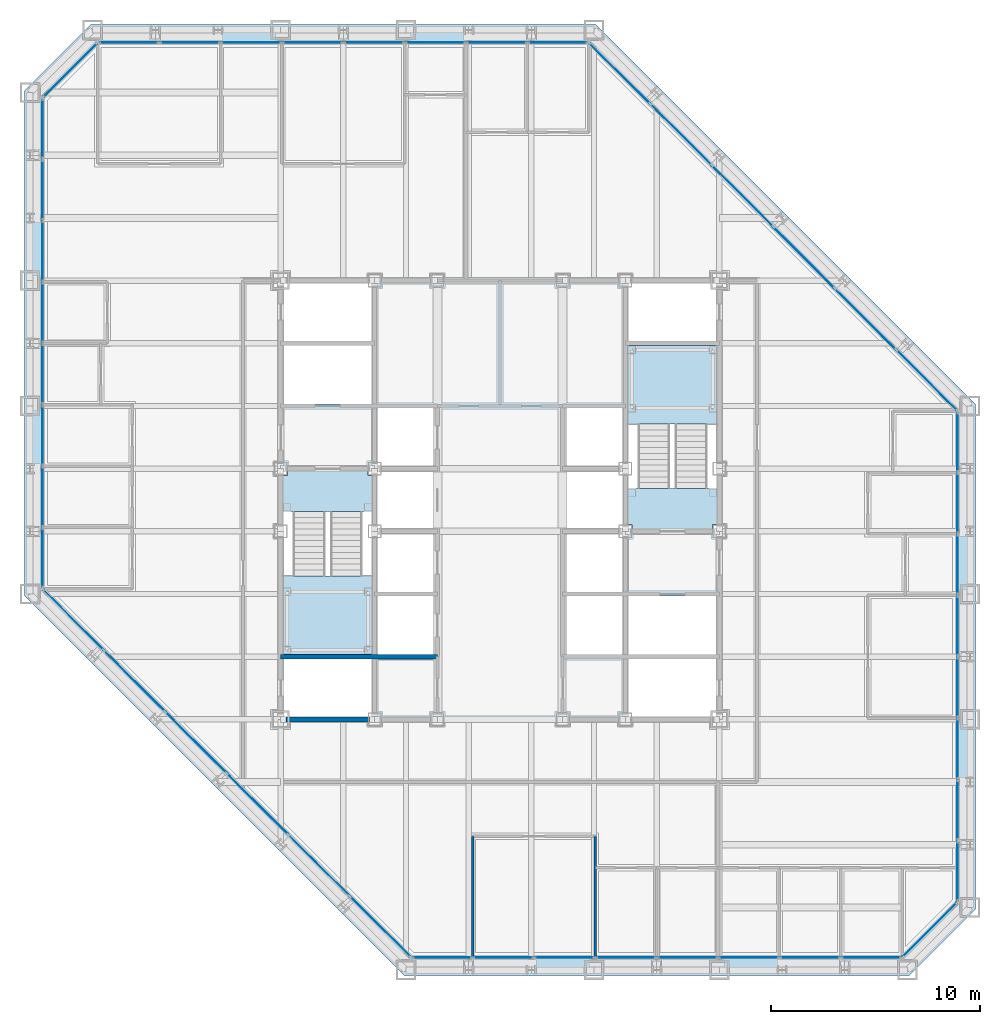
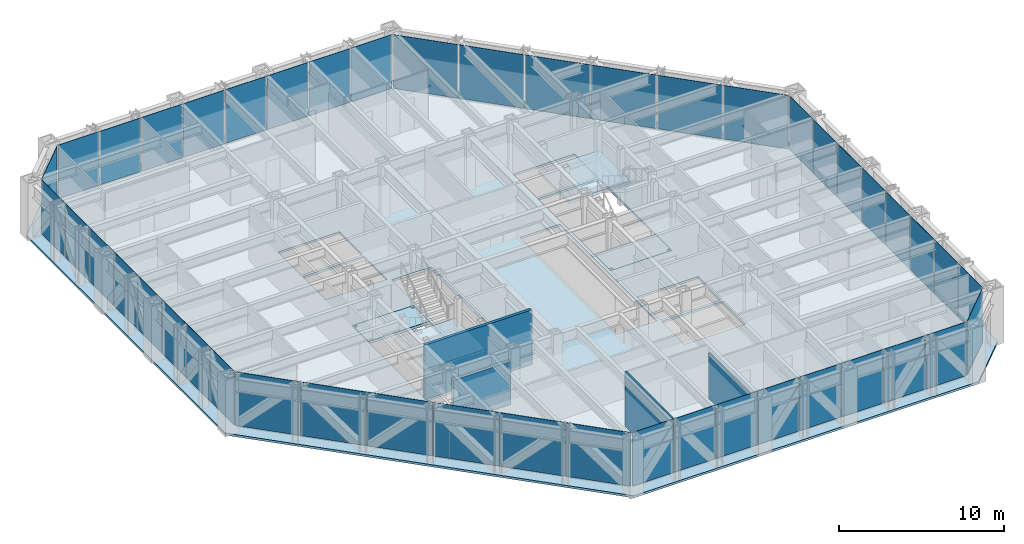
# One storey, part 9 of 16: 46 plates, 5 slabs, 4 walls, 10 elements without a shape of their own.
"""IFC4 building model written with IfcOpenShell, lengths in metres."""

from ifc_helpers import new_model, si_unit, direction, frame, frame_2d, origin, origin_2d, place, context, subcontext, project, spatial, polyline, rectangle, outline, extrude, material, layer, layer_set, type_object, element, aggregate, save


model = new_model("IFC4")

# Units and contexts
model_context = context("Model", 3, precision=1e-05, world=origin(), true_north=direction((0.0, 1.0)))
body_context = subcontext(model_context, "Body", "Model", "MODEL_VIEW")
ifc_project = project(units=[si_unit("LENGTHUNIT", "METRE"), si_unit("AREAUNIT", "SQUARE_METRE"), si_unit("VOLUMEUNIT", "CUBIC_METRE"), si_unit("PLANEANGLEUNIT", "RADIAN"), si_unit("MASSUNIT", "GRAM", prefix="KILO")], contexts=[model_context])

# Site, building, storey
site_placement = place(None, origin())
site = spatial("IfcSite", under=ifc_project, at=site_placement, CompositionType="ELEMENT")
building_placement = place(site_placement, origin())
building = spatial("IfcBuilding", under=site, at=building_placement, Name="Chuquiago Exchange Tower", CompositionType="ELEMENT")
storey_placement = place(building_placement, frame((0.0, 0.0, 157.199951171875)))
storey = spatial("IfcBuildingStorey", under=building, at=storey_placement, Name="L34", CompositionType="ELEMENT", Elevation=157.199951171875)

# Curtain wall, plates
ifc_material_1 = material(Name="Aluminium curtain wall system", Category="aluminium")
ifc_layer_1 = layer(ifc_material_1, 0.22509765625)
ifc_layer_set_1 = layer_set([ifc_layer_1], Name="CW2 office curtain wall")
curtain_wall_type_1 = type_object("IfcCurtainWallType", Name="CW2 office curtain wall", PredefinedType="NOTDEFINED", material=ifc_layer_set_1)
curtain_wall_1_placement = place(storey_placement, origin())
curtain_wall_1 = element("IfcCurtainWall", 1, at=curtain_wall_1_placement, inside=storey, type_object=curtain_wall_type_1, Name="CW2 curtain wall L34", PredefinedType="NOTDEFINED")
ifc_material_2 = material(Name="Glass, insulating unit", Category="glass")
ifc_layer_2 = layer(ifc_material_2, 0.030029296875)
ifc_layer_set_2 = layer_set([ifc_layer_2], Name="CW2-P panel 30")
plate_type_1 = type_object("IfcPlateType", Name="CW2-P panel 30", PredefinedType="CURTAIN_PANEL", material=ifc_layer_set_2)
plate_1_placement = place(storey_placement, frame((25.59326171875, 0.60009765625, 0.06494140625), z_axis=(0.0, 0.0, 1.0), x_axis=(1.0, 0.0, 0.0)))
plate_1 = element("IfcPlate", 2, at=plate_1_placement, type_object=plate_type_1, Name="CW2 panel 3.1", PredefinedType="CURTAIN_PANEL", context=body_context, shape_type="SweptSolid", body=[
    extrude(rectangle(XDim=2.872802734375, YDim=0.030029296875, at=origin_2d()), origin(), (0.0, 0.0, 1.0), 3.97509765625),
])
plate_2_placement = place(storey_placement, frame((34.40673828125, 0.60009765625, 0.06494140625), z_axis=(0.0, 0.0, 1.0), x_axis=(1.0, 0.0, 0.0)))
plate_2 = element("IfcPlate", 3, at=plate_2_placement, type_object=plate_type_1, Name="CW2 panel 6.1", PredefinedType="CURTAIN_PANEL", context=body_context, shape_type="SweptSolid", body=[
    extrude(rectangle(XDim=2.872802734375, YDim=0.030029296875, at=origin_2d()), origin(), (0.0, 0.0, 1.0), 3.97509765625),
])

curtain_wall_2_placement = place(storey_placement, origin())
curtain_wall_2 = element("IfcCurtainWall", 4, at=curtain_wall_2_placement, inside=storey, type_object=curtain_wall_type_1, Name="CW2 curtain wall L34", PredefinedType="NOTDEFINED")
plate_3_placement = place(storey_placement, frame((44.39990234375, 10.59326171875, 0.06494140625), z_axis=(0.0, 0.0, 1.0), x_axis=(0.0, 1.0, 0.0)))
plate_3 = element("IfcPlate", 5, at=plate_3_placement, type_object=plate_type_1, Name="CW2 panel 3.1", PredefinedType="CURTAIN_PANEL", context=body_context, shape_type="SweptSolid", body=[
    extrude(rectangle(XDim=2.872802734375, YDim=0.030029296875, at=origin_2d()), origin(), (0.0, 0.0, 1.0), 3.97509765625),
])
plate_4_placement = place(storey_placement, frame((44.39990234375, 19.40673828125, 0.06494140625), z_axis=(0.0, 0.0, 1.0), x_axis=(0.0, 1.0, 0.0)))
plate_4 = element("IfcPlate", 6, at=plate_4_placement, type_object=plate_type_1, Name="CW2 panel 6.1", PredefinedType="CURTAIN_PANEL", context=body_context, shape_type="SweptSolid", body=[
    extrude(rectangle(XDim=2.872802734375, YDim=0.030029296875, at=origin_2d()), origin(), (0.0, 0.0, 1.0), 3.97509765625),
])

curtain_wall_3_placement = place(storey_placement, origin())
curtain_wall_3 = element("IfcCurtainWall", 7, at=curtain_wall_3_placement, inside=storey, type_object=curtain_wall_type_1, Name="CW2 curtain wall L34", PredefinedType="NOTDEFINED")
plate_5_placement = place(storey_placement, frame((19.40673828125, 44.39990234375, 0.06494140625), z_axis=(0.0, 0.0, 1.0), x_axis=(-1.0, 0.0, 0.0)))
plate_5 = element("IfcPlate", 8, at=plate_5_placement, type_object=plate_type_1, Name="CW2 panel 3.1", PredefinedType="CURTAIN_PANEL", context=body_context, shape_type="SweptSolid", body=[
    extrude(rectangle(XDim=2.872802734375, YDim=0.030029296875, at=origin_2d()), origin(), (0.0, 0.0, 1.0), 3.97509765625),
])
plate_6_placement = place(storey_placement, frame((10.59326171875, 44.39990234375, 0.06494140625), z_axis=(0.0, 0.0, 1.0), x_axis=(-1.0, 0.0, 0.0)))
plate_6 = element("IfcPlate", 9, at=plate_6_placement, type_object=plate_type_1, Name="CW2 panel 6.1", PredefinedType="CURTAIN_PANEL", context=body_context, shape_type="SweptSolid", body=[
    extrude(rectangle(XDim=2.872802734375, YDim=0.030029296875, at=origin_2d()), origin(), (0.0, 0.0, 1.0), 3.97509765625),
])

curtain_wall_4_placement = place(storey_placement, origin())
curtain_wall_4 = element("IfcCurtainWall", 10, at=curtain_wall_4_placement, inside=storey, type_object=curtain_wall_type_1, Name="CW2 curtain wall L34", PredefinedType="NOTDEFINED")
plate_7_placement = place(storey_placement, frame((0.60009765625, 34.40673828125, 0.06494140625), z_axis=(0.0, 0.0, 1.0), x_axis=(0.0, -1.0, 0.0)))
plate_7 = element("IfcPlate", 11, at=plate_7_placement, type_object=plate_type_1, Name="CW2 panel 3.1", PredefinedType="CURTAIN_PANEL", context=body_context, shape_type="SweptSolid", body=[
    extrude(rectangle(XDim=2.872802734375, YDim=0.030029296875, at=origin_2d()), origin(), (0.0, 0.0, 1.0), 3.97509765625),
])
plate_8_placement = place(storey_placement, frame((0.60009765625, 25.59326171875, 0.06494140625), z_axis=(0.0, 0.0, 1.0), x_axis=(0.0, -1.0, 0.0)))
plate_8 = element("IfcPlate", 12, at=plate_8_placement, type_object=plate_type_1, Name="CW2 panel 6.1", PredefinedType="CURTAIN_PANEL", context=body_context, shape_type="SweptSolid", body=[
    extrude(rectangle(XDim=2.872802734375, YDim=0.030029296875, at=origin_2d()), origin(), (0.0, 0.0, 1.0), 3.97509765625),
])

# Plate
ifc_material_3 = material(Name="Insulated spandrel panel, pale anodised aluminium", Category="aluminium")
ifc_layer_3 = layer(ifc_material_3, 0.030029296875)
ifc_layer_set_3 = layer_set([ifc_layer_3], Name="CW2-P spandrel panel 30")
plate_type_2 = type_object("IfcPlateType", Name="CW2-P spandrel panel 30", PredefinedType="CURTAIN_PANEL", material=ifc_layer_set_3)
plate_9_placement = place(storey_placement, frame((19.733642578125, 0.60009765625, 0.06494140625), z_axis=(0.0, 0.0, 1.0), x_axis=(1.0, 0.0, 0.0)))
plate_9 = element("IfcPlate", 13, at=plate_9_placement, type_object=plate_type_2, Name="CW2 panel 1.1", PredefinedType="CURTAIN_PANEL", context=body_context, shape_type="SweptSolid", body=[
    extrude(rectangle(XDim=2.84033203125, YDim=0.030029296875, at=origin_2d()), origin(), (0.0, 0.0, 1.0), 3.97509765625),
])

plate_10_placement = place(storey_placement, frame((22.6552734375, 0.60009765625, 0.06494140625), z_axis=(0.0, 0.0, 1.0), x_axis=(1.0, 0.0, 0.0)))
plate_10 = element("IfcPlate", 14, at=plate_10_placement, type_object=plate_type_2, Name="CW2 panel 2.1", PredefinedType="CURTAIN_PANEL", context=body_context, shape_type="SweptSolid", body=[
    extrude(rectangle(XDim=2.872802734375, YDim=0.030029296875, at=origin_2d()), origin(), (0.0, 0.0, 1.0), 3.97509765625),
])

plate_11_placement = place(storey_placement, frame((28.531005859375, 0.60009765625, 0.06494140625), z_axis=(0.0, 0.0, 1.0), x_axis=(1.0, 0.0, 0.0)))
plate_11 = element("IfcPlate", 15, at=plate_11_placement, type_object=plate_type_2, Name="CW2 panel 4.1", PredefinedType="CURTAIN_PANEL", context=body_context, shape_type="SweptSolid", body=[
    extrude(rectangle(XDim=2.872802734375, YDim=0.030029296875, at=origin_2d()), origin(), (0.0, 0.0, 1.0), 3.97509765625),
])

plate_12_placement = place(storey_placement, frame((31.468994140625, 0.60009765625, 0.06494140625), z_axis=(0.0, 0.0, 1.0), x_axis=(1.0, 0.0, 0.0)))
plate_12 = element("IfcPlate", 16, at=plate_12_placement, type_object=plate_type_2, Name="CW2 panel 5.1", PredefinedType="CURTAIN_PANEL", context=body_context, shape_type="SweptSolid", body=[
    extrude(rectangle(XDim=2.872802734375, YDim=0.030029296875, at=origin_2d()), origin(), (0.0, 0.0, 1.0), 3.97509765625),
])

plate_13_placement = place(storey_placement, frame((37.3447265625, 0.60009765625, 0.06494140625), z_axis=(0.0, 0.0, 1.0), x_axis=(1.0, 0.0, 0.0)))
plate_13 = element("IfcPlate", 17, at=plate_13_placement, type_object=plate_type_2, Name="CW2 panel 7.1", PredefinedType="CURTAIN_PANEL", context=body_context, shape_type="SweptSolid", body=[
    extrude(rectangle(XDim=2.872802734375, YDim=0.030029296875, at=origin_2d()), origin(), (0.0, 0.0, 1.0), 3.97509765625),
])

plate_14_placement = place(storey_placement, frame((40.266357421875, 0.60009765625, 0.06494140625), z_axis=(0.0, 0.0, 1.0), x_axis=(1.0, 0.0, 0.0)))
plate_14 = element("IfcPlate", 18, at=plate_14_placement, type_object=plate_type_2, Name="CW2 panel 8.1", PredefinedType="CURTAIN_PANEL", context=body_context, shape_type="SweptSolid", body=[
    extrude(rectangle(XDim=2.84033203125, YDim=0.030029296875, at=origin_2d()), origin(), (0.0, 0.0, 1.0), 3.97509765625),
])

aggregate(curtain_wall_1, [plate_9, plate_10, plate_1, plate_11, plate_12, plate_2, plate_13, plate_14])

plate_15_placement = place(storey_placement, frame((44.39990234375, 4.733642578125, 0.06494140625), z_axis=(0.0, 0.0, 1.0), x_axis=(0.0, 1.0, 0.0)))
plate_15 = element("IfcPlate", 19, at=plate_15_placement, type_object=plate_type_2, Name="CW2 panel 1.1", PredefinedType="CURTAIN_PANEL", context=body_context, shape_type="SweptSolid", body=[
    extrude(rectangle(XDim=2.84033203125, YDim=0.030029296875, at=origin_2d()), origin(), (0.0, 0.0, 1.0), 3.97509765625),
])

plate_16_placement = place(storey_placement, frame((44.39990234375, 7.6552734375, 0.06494140625), z_axis=(0.0, 0.0, 1.0), x_axis=(0.0, 1.0, 0.0)))
plate_16 = element("IfcPlate", 20, at=plate_16_placement, type_object=plate_type_2, Name="CW2 panel 2.1", PredefinedType="CURTAIN_PANEL", context=body_context, shape_type="SweptSolid", body=[
    extrude(rectangle(XDim=2.872802734375, YDim=0.030029296875, at=origin_2d()), origin(), (0.0, 0.0, 1.0), 3.97509765625),
])

plate_17_placement = place(storey_placement, frame((44.39990234375, 13.531005859375, 0.06494140625), z_axis=(0.0, 0.0, 1.0), x_axis=(0.0, 1.0, 0.0)))
plate_17 = element("IfcPlate", 21, at=plate_17_placement, type_object=plate_type_2, Name="CW2 panel 4.1", PredefinedType="CURTAIN_PANEL", context=body_context, shape_type="SweptSolid", body=[
    extrude(rectangle(XDim=2.872802734375, YDim=0.030029296875, at=origin_2d()), origin(), (0.0, 0.0, 1.0), 3.97509765625),
])

plate_18_placement = place(storey_placement, frame((44.39990234375, 16.468994140625, 0.06494140625), z_axis=(0.0, 0.0, 1.0), x_axis=(0.0, 1.0, 0.0)))
plate_18 = element("IfcPlate", 22, at=plate_18_placement, type_object=plate_type_2, Name="CW2 panel 5.1", PredefinedType="CURTAIN_PANEL", context=body_context, shape_type="SweptSolid", body=[
    extrude(rectangle(XDim=2.872802734375, YDim=0.030029296875, at=origin_2d()), origin(), (0.0, 0.0, 1.0), 3.97509765625),
])

plate_19_placement = place(storey_placement, frame((44.39990234375, 22.3447265625, 0.06494140625), z_axis=(0.0, 0.0, 1.0), x_axis=(0.0, 1.0, 0.0)))
plate_19 = element("IfcPlate", 23, at=plate_19_placement, type_object=plate_type_2, Name="CW2 panel 7.1", PredefinedType="CURTAIN_PANEL", context=body_context, shape_type="SweptSolid", body=[
    extrude(rectangle(XDim=2.872802734375, YDim=0.030029296875, at=origin_2d()), origin(), (0.0, 0.0, 1.0), 3.97509765625),
])

plate_20_placement = place(storey_placement, frame((44.39990234375, 25.266357421875, 0.06494140625), z_axis=(0.0, 0.0, 1.0), x_axis=(0.0, 1.0, 0.0)))
plate_20 = element("IfcPlate", 24, at=plate_20_placement, type_object=plate_type_2, Name="CW2 panel 8.1", PredefinedType="CURTAIN_PANEL", context=body_context, shape_type="SweptSolid", body=[
    extrude(rectangle(XDim=2.84033203125, YDim=0.030029296875, at=origin_2d()), origin(), (0.0, 0.0, 1.0), 3.97509765625),
])

aggregate(curtain_wall_2, [plate_15, plate_16, plate_3, plate_17, plate_18, plate_4, plate_19, plate_20])

plate_21_placement = place(storey_placement, frame((25.266357421875, 44.39990234375, 0.06494140625), z_axis=(0.0, 0.0, 1.0), x_axis=(-1.0, 0.0, 0.0)))
plate_21 = element("IfcPlate", 25, at=plate_21_placement, type_object=plate_type_2, Name="CW2 panel 1.1", PredefinedType="CURTAIN_PANEL", context=body_context, shape_type="SweptSolid", body=[
    extrude(rectangle(XDim=2.84033203125, YDim=0.030029296875, at=origin_2d()), origin(), (0.0, 0.0, 1.0), 3.97509765625),
])

plate_22_placement = place(storey_placement, frame((22.3447265625, 44.39990234375, 0.06494140625), z_axis=(0.0, 0.0, 1.0), x_axis=(-1.0, 0.0, 0.0)))
plate_22 = element("IfcPlate", 26, at=plate_22_placement, type_object=plate_type_2, Name="CW2 panel 2.1", PredefinedType="CURTAIN_PANEL", context=body_context, shape_type="SweptSolid", body=[
    extrude(rectangle(XDim=2.872802734375, YDim=0.030029296875, at=origin_2d()), origin(), (0.0, 0.0, 1.0), 3.97509765625),
])

plate_23_placement = place(storey_placement, frame((16.468994140625, 44.39990234375, 0.06494140625), z_axis=(0.0, 0.0, 1.0), x_axis=(-1.0, 0.0, 0.0)))
plate_23 = element("IfcPlate", 27, at=plate_23_placement, type_object=plate_type_2, Name="CW2 panel 4.1", PredefinedType="CURTAIN_PANEL", context=body_context, shape_type="SweptSolid", body=[
    extrude(rectangle(XDim=2.872802734375, YDim=0.030029296875, at=origin_2d()), origin(), (0.0, 0.0, 1.0), 3.97509765625),
])

plate_24_placement = place(storey_placement, frame((13.531005859375, 44.39990234375, 0.06494140625), z_axis=(0.0, 0.0, 1.0), x_axis=(-1.0, 0.0, 0.0)))
plate_24 = element("IfcPlate", 28, at=plate_24_placement, type_object=plate_type_2, Name="CW2 panel 5.1", PredefinedType="CURTAIN_PANEL", context=body_context, shape_type="SweptSolid", body=[
    extrude(rectangle(XDim=2.872802734375, YDim=0.030029296875, at=origin_2d()), origin(), (0.0, 0.0, 1.0), 3.97509765625),
])

plate_25_placement = place(storey_placement, frame((7.6552734375, 44.39990234375, 0.06494140625), z_axis=(0.0, 0.0, 1.0), x_axis=(-1.0, 0.0, 0.0)))
plate_25 = element("IfcPlate", 29, at=plate_25_placement, type_object=plate_type_2, Name="CW2 panel 7.1", PredefinedType="CURTAIN_PANEL", context=body_context, shape_type="SweptSolid", body=[
    extrude(rectangle(XDim=2.872802734375, YDim=0.030029296875, at=origin_2d()), origin(), (0.0, 0.0, 1.0), 3.97509765625),
])

plate_26_placement = place(storey_placement, frame((4.733642578125, 44.39990234375, 0.06494140625), z_axis=(0.0, 0.0, 1.0), x_axis=(-1.0, 0.0, 0.0)))
plate_26 = element("IfcPlate", 30, at=plate_26_placement, type_object=plate_type_2, Name="CW2 panel 8.1", PredefinedType="CURTAIN_PANEL", context=body_context, shape_type="SweptSolid", body=[
    extrude(rectangle(XDim=2.84033203125, YDim=0.030029296875, at=origin_2d()), origin(), (0.0, 0.0, 1.0), 3.97509765625),
])

aggregate(curtain_wall_3, [plate_21, plate_22, plate_5, plate_23, plate_24, plate_6, plate_25, plate_26])

plate_27_placement = place(storey_placement, frame((0.60009765625, 40.266357421875, 0.06494140625), z_axis=(0.0, 0.0, 1.0), x_axis=(0.0, -1.0, 0.0)))
plate_27 = element("IfcPlate", 31, at=plate_27_placement, type_object=plate_type_2, Name="CW2 panel 1.1", PredefinedType="CURTAIN_PANEL", context=body_context, shape_type="SweptSolid", body=[
    extrude(rectangle(XDim=2.84033203125, YDim=0.030029296875, at=origin_2d()), origin(), (0.0, 0.0, 1.0), 3.97509765625),
])

plate_28_placement = place(storey_placement, frame((0.60009765625, 37.3447265625, 0.06494140625), z_axis=(0.0, 0.0, 1.0), x_axis=(0.0, -1.0, 0.0)))
plate_28 = element("IfcPlate", 32, at=plate_28_placement, type_object=plate_type_2, Name="CW2 panel 2.1", PredefinedType="CURTAIN_PANEL", context=body_context, shape_type="SweptSolid", body=[
    extrude(rectangle(XDim=2.872802734375, YDim=0.030029296875, at=origin_2d()), origin(), (0.0, 0.0, 1.0), 3.97509765625),
])

plate_29_placement = place(storey_placement, frame((0.60009765625, 31.468994140625, 0.06494140625), z_axis=(0.0, 0.0, 1.0), x_axis=(0.0, -1.0, 0.0)))
plate_29 = element("IfcPlate", 33, at=plate_29_placement, type_object=plate_type_2, Name="CW2 panel 4.1", PredefinedType="CURTAIN_PANEL", context=body_context, shape_type="SweptSolid", body=[
    extrude(rectangle(XDim=2.872802734375, YDim=0.030029296875, at=origin_2d()), origin(), (0.0, 0.0, 1.0), 3.97509765625),
])

plate_30_placement = place(storey_placement, frame((0.60009765625, 28.531005859375, 0.06494140625), z_axis=(0.0, 0.0, 1.0), x_axis=(0.0, -1.0, 0.0)))
plate_30 = element("IfcPlate", 34, at=plate_30_placement, type_object=plate_type_2, Name="CW2 panel 5.1", PredefinedType="CURTAIN_PANEL", context=body_context, shape_type="SweptSolid", body=[
    extrude(rectangle(XDim=2.872802734375, YDim=0.030029296875, at=origin_2d()), origin(), (0.0, 0.0, 1.0), 3.97509765625),
])

plate_31_placement = place(storey_placement, frame((0.60009765625, 22.6552734375, 0.06494140625), z_axis=(0.0, 0.0, 1.0), x_axis=(0.0, -1.0, 0.0)))
plate_31 = element("IfcPlate", 35, at=plate_31_placement, type_object=plate_type_2, Name="CW2 panel 7.1", PredefinedType="CURTAIN_PANEL", context=body_context, shape_type="SweptSolid", body=[
    extrude(rectangle(XDim=2.872802734375, YDim=0.030029296875, at=origin_2d()), origin(), (0.0, 0.0, 1.0), 3.97509765625),
])

plate_32_placement = place(storey_placement, frame((0.60009765625, 19.733642578125, 0.06494140625), z_axis=(0.0, 0.0, 1.0), x_axis=(0.0, -1.0, 0.0)))
plate_32 = element("IfcPlate", 36, at=plate_32_placement, type_object=plate_type_2, Name="CW2 panel 8.1", PredefinedType="CURTAIN_PANEL", context=body_context, shape_type="SweptSolid", body=[
    extrude(rectangle(XDim=2.84033203125, YDim=0.030029296875, at=origin_2d()), origin(), (0.0, 0.0, 1.0), 3.97509765625),
])

aggregate(curtain_wall_4, [plate_27, plate_28, plate_7, plate_29, plate_30, plate_8, plate_31, plate_32])

# Curtain wall, plate
ifc_material_4 = material(Name="Aluminium curtain wall system", Category="aluminium")
ifc_layer_4 = layer(ifc_material_4, 0.199951171875)
ifc_layer_set_4 = layer_set([ifc_layer_4], Name="CW3 facet curtain wall")
curtain_wall_type_2 = type_object("IfcCurtainWallType", Name="CW3 facet curtain wall", PredefinedType="NOTDEFINED", material=ifc_layer_set_4)
curtain_wall_5_placement = place(storey_placement, origin())
curtain_wall_5 = element("IfcCurtainWall", 37, at=curtain_wall_5_placement, inside=storey, type_object=curtain_wall_type_2, Name="CW3 curtain wall L34", PredefinedType="NOTDEFINED")
ifc_material_5 = material(Name="Insulated spandrel panel, pale anodised aluminium", Category="aluminium")
ifc_layer_5 = layer(ifc_material_5, 0.030029296875)
ifc_layer_set_5 = layer_set([ifc_layer_5], Name="CW3-P spandrel panel 30")
plate_type_3 = type_object("IfcPlateType", Name="CW3-P spandrel panel 30", PredefinedType="CURTAIN_PANEL", material=ifc_layer_set_5)
plate_33_placement = place(storey_placement, frame((43.07568359375, 1.92431640625, 0.06494140625), z_axis=(0.0, 0.0, 1.0), x_axis=(0.707106781187, 0.707106781187, 0.0)))
plate_33 = element("IfcPlate", 38, at=plate_33_placement, type_object=plate_type_3, Name="CW3 panel 1.1", PredefinedType="CURTAIN_PANEL", context=body_context, shape_type="SweptSolid", body=[
    extrude(rectangle(XDim=3.615478515625, YDim=0.030029296875, at=origin_2d()), origin(), (0.0, 0.0, 1.0), 3.97509765625),
])
aggregate(curtain_wall_5, [plate_33])

# Curtain wall, plates
curtain_wall_6_placement = place(storey_placement, origin())
curtain_wall_6 = element("IfcCurtainWall", 39, at=curtain_wall_6_placement, inside=storey, type_object=curtain_wall_type_2, Name="CW3 curtain wall L34", PredefinedType="NOTDEFINED")
plate_34_placement = place(storey_placement, frame((42.917724609375, 28.233642578125, 0.06494140625), z_axis=(0.0, 0.0, 1.0), x_axis=(-0.707106781187, 0.707106781187, 0.0)))
plate_34 = element("IfcPlate", 40, at=plate_34_placement, type_object=plate_type_3, Name="CW3 panel 1.1", PredefinedType="CURTAIN_PANEL", context=body_context, shape_type="SweptSolid", body=[
    extrude(rectangle(XDim=4.062255859375, YDim=0.030029296875, at=origin_2d()), origin(), (0.0, 0.0, 1.0), 3.97509765625),
])
plate_35_placement = place(storey_placement, frame((39.98779296875, 31.16357421875, 0.06494140625), z_axis=(0.0, 0.0, 1.0), x_axis=(-0.707106781187, 0.707106781187, 0.0)))
plate_35 = element("IfcPlate", 41, at=plate_35_placement, type_object=plate_type_3, Name="CW3 panel 2.1", PredefinedType="CURTAIN_PANEL", context=body_context, shape_type="SweptSolid", body=[
    extrude(rectangle(XDim=4.0947265625, YDim=0.030029296875, at=origin_2d()), origin(), (0.0, 0.0, 1.0), 3.97509765625),
])
plate_36_placement = place(storey_placement, frame((37.04638671875, 34.10498046875, 0.06494140625), z_axis=(0.0, 0.0, 1.0), x_axis=(-0.707106781187, 0.707106781187, 0.0)))
plate_36 = element("IfcPlate", 42, at=plate_36_placement, type_object=plate_type_3, Name="CW3 panel 3.1", PredefinedType="CURTAIN_PANEL", context=body_context, shape_type="SweptSolid", body=[
    extrude(rectangle(XDim=4.0947265625, YDim=0.030029296875, at=origin_2d()), origin(), (0.0, 0.0, 1.0), 3.97509765625),
])
plate_37_placement = place(storey_placement, frame((34.10498046875, 37.04638671875, 0.06494140625), z_axis=(0.0, 0.0, 1.0), x_axis=(-0.707106781187, 0.707106781187, 0.0)))
plate_37 = element("IfcPlate", 43, at=plate_37_placement, type_object=plate_type_3, Name="CW3 panel 4.1", PredefinedType="CURTAIN_PANEL", context=body_context, shape_type="SweptSolid", body=[
    extrude(rectangle(XDim=4.0947265625, YDim=0.030029296875, at=origin_2d()), origin(), (0.0, 0.0, 1.0), 3.97509765625),
])
plate_38_placement = place(storey_placement, frame((31.16357421875, 39.98779296875, 0.06494140625), z_axis=(0.0, 0.0, 1.0), x_axis=(-0.707106781187, 0.707106781187, 0.0)))
plate_38 = element("IfcPlate", 44, at=plate_38_placement, type_object=plate_type_3, Name="CW3 panel 5.1", PredefinedType="CURTAIN_PANEL", context=body_context, shape_type="SweptSolid", body=[
    extrude(rectangle(XDim=4.0947265625, YDim=0.030029296875, at=origin_2d()), origin(), (0.0, 0.0, 1.0), 3.97509765625),
])
plate_39_placement = place(storey_placement, frame((28.233642578125, 42.917724609375, 0.06494140625), z_axis=(0.0, 0.0, 1.0), x_axis=(-0.707106781187, 0.707106781187, 0.0)))
plate_39 = element("IfcPlate", 45, at=plate_39_placement, type_object=plate_type_3, Name="CW3 panel 6.1", PredefinedType="CURTAIN_PANEL", context=body_context, shape_type="SweptSolid", body=[
    extrude(rectangle(XDim=4.062255859375, YDim=0.030029296875, at=origin_2d()), origin(), (0.0, 0.0, 1.0), 3.97509765625),
])
aggregate(curtain_wall_6, [plate_34, plate_35, plate_36, plate_37, plate_38, plate_39])

# Curtain wall, plate
curtain_wall_7_placement = place(storey_placement, origin())
curtain_wall_7 = element("IfcCurtainWall", 46, at=curtain_wall_7_placement, inside=storey, type_object=curtain_wall_type_2, Name="CW3 curtain wall L34", PredefinedType="NOTDEFINED")
plate_40_placement = place(storey_placement, frame((1.92431640625, 43.07568359375, 0.06494140625), z_axis=(0.0, 0.0, 1.0), x_axis=(-0.707106781187, -0.707106781187, 0.0)))
plate_40 = element("IfcPlate", 47, at=plate_40_placement, type_object=plate_type_3, Name="CW3 panel 1.1", PredefinedType="CURTAIN_PANEL", context=body_context, shape_type="SweptSolid", body=[
    extrude(rectangle(XDim=3.615478515625, YDim=0.030029296875, at=origin_2d()), origin(), (0.0, 0.0, 1.0), 3.97509765625),
])
aggregate(curtain_wall_7, [plate_40])

# Curtain wall, plates
curtain_wall_8_placement = place(storey_placement, origin())
curtain_wall_8 = element("IfcCurtainWall", 48, at=curtain_wall_8_placement, inside=storey, type_object=curtain_wall_type_2, Name="CW3 curtain wall L34", PredefinedType="NOTDEFINED")
plate_41_placement = place(storey_placement, frame((2.082275390625, 16.766357421875, 0.06494140625), z_axis=(0.0, 0.0, 1.0), x_axis=(0.707106781187, -0.707106781187, 0.0)))
plate_41 = element("IfcPlate", 49, at=plate_41_placement, type_object=plate_type_3, Name="CW3 panel 1.1", PredefinedType="CURTAIN_PANEL", context=body_context, shape_type="SweptSolid", body=[
    extrude(rectangle(XDim=4.062255859375, YDim=0.030029296875, at=origin_2d()), origin(), (0.0, 0.0, 1.0), 3.97509765625),
])
plate_42_placement = place(storey_placement, frame((5.01220703125, 13.83642578125, 0.06494140625), z_axis=(0.0, 0.0, 1.0), x_axis=(0.707106781187, -0.707106781187, 0.0)))
plate_42 = element("IfcPlate", 50, at=plate_42_placement, type_object=plate_type_3, Name="CW3 panel 2.1", PredefinedType="CURTAIN_PANEL", context=body_context, shape_type="SweptSolid", body=[
    extrude(rectangle(XDim=4.0947265625, YDim=0.030029296875, at=origin_2d()), origin(), (0.0, 0.0, 1.0), 3.97509765625),
])
plate_43_placement = place(storey_placement, frame((7.95361328125, 10.89501953125, 0.06494140625), z_axis=(0.0, 0.0, 1.0), x_axis=(0.707106781187, -0.707106781187, 0.0)))
plate_43 = element("IfcPlate", 51, at=plate_43_placement, type_object=plate_type_3, Name="CW3 panel 3.1", PredefinedType="CURTAIN_PANEL", context=body_context, shape_type="SweptSolid", body=[
    extrude(rectangle(XDim=4.0947265625, YDim=0.030029296875, at=origin_2d()), origin(), (0.0, 0.0, 1.0), 3.97509765625),
])
plate_44_placement = place(storey_placement, frame((10.89501953125, 7.95361328125, 0.06494140625), z_axis=(0.0, 0.0, 1.0), x_axis=(0.707106781187, -0.707106781187, 0.0)))
plate_44 = element("IfcPlate", 52, at=plate_44_placement, type_object=plate_type_3, Name="CW3 panel 4.1", PredefinedType="CURTAIN_PANEL", context=body_context, shape_type="SweptSolid", body=[
    extrude(rectangle(XDim=4.0947265625, YDim=0.030029296875, at=origin_2d()), origin(), (0.0, 0.0, 1.0), 3.97509765625),
])
plate_45_placement = place(storey_placement, frame((13.83642578125, 5.01220703125, 0.06494140625), z_axis=(0.0, 0.0, 1.0), x_axis=(0.707106781187, -0.707106781187, 0.0)))
plate_45 = element("IfcPlate", 53, at=plate_45_placement, type_object=plate_type_3, Name="CW3 panel 5.1", PredefinedType="CURTAIN_PANEL", context=body_context, shape_type="SweptSolid", body=[
    extrude(rectangle(XDim=4.0947265625, YDim=0.030029296875, at=origin_2d()), origin(), (0.0, 0.0, 1.0), 3.97509765625),
])
plate_46_placement = place(storey_placement, frame((16.766357421875, 2.082275390625, 0.06494140625), z_axis=(0.0, 0.0, 1.0), x_axis=(0.707106781187, -0.707106781187, 0.0)))
plate_46 = element("IfcPlate", 54, at=plate_46_placement, type_object=plate_type_3, Name="CW3 panel 6.1", PredefinedType="CURTAIN_PANEL", context=body_context, shape_type="SweptSolid", body=[
    extrude(rectangle(XDim=4.062255859375, YDim=0.030029296875, at=origin_2d()), origin(), (0.0, 0.0, 1.0), 3.97509765625),
])
aggregate(curtain_wall_8, [plate_41, plate_42, plate_43, plate_44, plate_45, plate_46])

# Slab
ifc_material_6 = material(Name="Concrete C30/37", Category="concrete")
ifc_layer_6 = layer(ifc_material_6, 0.159912109375)
ifc_layer_set_6 = layer_set([ifc_layer_6], Name="FS1 composite floor 160")
slab_type_1 = type_object("IfcSlabType", Name="FS1 composite floor 160", PredefinedType="FLOOR", material=ifc_layer_set_6)
slab_1_placement = place(storey_placement, frame((0.0, 0.0, -0.159912109375)))
element("IfcSlab", 55, at=slab_1_placement, inside=storey, type_object=slab_type_1, Name="L34 floor slab", PredefinedType="FLOOR", context=body_context, shape_type="SweptSolid", body=[
    extrude(outline(polyline([(17.896484375, -0.25), (-0.25, 17.896484375), (-0.25, 42.103515625), (2.896484375, 45.25), (27.103515625, 45.25), (45.25, 27.103515625), (45.25, 2.896484375), (42.103515625, -0.25), (17.896484375, -0.25)]), holes=[polyline([(16.39990234375, 15.10009765625), (12.10009765625, 15.10009765625), (12.10009765625, 23.89990234375), (16.39990234375, 23.89990234375), (16.39990234375, 15.10009765625)]), polyline([(32.89990234375, 21.10009765625), (28.60009765625, 21.10009765625), (28.60009765625, 29.89990234375), (32.89990234375, 29.89990234375), (32.89990234375, 21.10009765625)]), polyline([(16.39990234375, 12.10009765625), (12.10009765625, 12.10009765625), (12.10009765625, 14.89990234375), (16.39990234375, 14.89990234375), (16.39990234375, 12.10009765625)]), polyline([(16.39990234375, 30.10009765625), (12.10009765625, 30.10009765625), (12.10009765625, 32.89990234375), (16.39990234375, 32.89990234375), (16.39990234375, 30.10009765625)]), polyline([(32.89990234375, 12.10009765625), (28.60009765625, 12.10009765625), (28.60009765625, 14.89990234375), (32.89990234375, 14.89990234375), (32.89990234375, 12.10009765625)]), polyline([(32.89990234375, 30.10009765625), (28.60009765625, 30.10009765625), (28.60009765625, 32.89990234375), (32.89990234375, 32.89990234375), (32.89990234375, 30.10009765625)]), polyline([(16.39990234375, 27.10009765625), (12.10009765625, 27.10009765625), (12.10009765625, 29.89990234375), (16.39990234375, 29.89990234375), (16.39990234375, 27.10009765625)]), polyline([(32.89990234375, 15.10009765625), (28.60009765625, 15.10009765625), (28.60009765625, 17.89990234375), (32.89990234375, 17.89990234375), (32.89990234375, 15.10009765625)]), polyline([(19.39990234375, 15.10009765625), (16.60009765625, 15.10009765625), (16.60009765625, 26.89990234375), (19.39990234375, 26.89990234375), (19.39990234375, 15.10009765625)]), polyline([(28.39990234375, 15.10009765625), (25.60009765625, 15.10009765625), (25.60009765625, 26.89990234375), (28.39990234375, 26.89990234375), (28.39990234375, 15.10009765625)])]), origin(), (0.0, 0.0, 1.0), 0.159912109375),
])

# Stair, slabs
ifc_material_7 = material(Name="Concrete C30/37, precast", Category="concrete")
stair_type_1 = type_object("IfcStairType", Name="ST1 half-turn stair 4200", PredefinedType="HALF_TURN_STAIR", material=ifc_material_7)
stair_1_placement = place(storey_placement, origin())
stair_1 = element("IfcStair", 56, at=stair_1_placement, inside=storey, type_object=stair_type_1, Name="Stair ST1 L34", PredefinedType="HALF_TURN_STAIR")
ifc_material_8 = material(Name="Concrete C30/37, precast", Category="concrete")
ifc_layer_7 = layer(ifc_material_8, 0.199951171875)
ifc_layer_set_7 = layer_set([ifc_layer_7], Name="ST-L landing 200")
slab_type_2 = type_object("IfcSlabType", Name="ST-L landing 200", PredefinedType="LANDING", material=ifc_layer_set_7)
slab_2_placement = place(storey_placement, frame((0.0, 0.0, -0.199951171875)))
slab_2 = element("IfcSlab", 57, at=slab_2_placement, type_object=slab_type_2, Name="ST1 landing 1", PredefinedType="LANDING", context=body_context, shape_type="SweptSolid", body=[
    extrude(outline(polyline([(12.324951171875, 23.89990234375), (16.175048828125, 23.89990234375), (16.175048828125, 23.675048828125), (16.39990234375, 23.675048828125), (16.39990234375, 21.949951171875), (12.10009765625, 21.949951171875), (12.10009765625, 23.675048828125), (12.324951171875, 23.675048828125), (12.324951171875, 23.89990234375)])), origin(), (0.0, 0.0, 1.0), 0.199951171875),
])
slab_3_placement = place(storey_placement, frame((0.0, 0.0, 1.900146484375)))
slab_3 = element("IfcSlab", 58, at=slab_3_placement, type_object=slab_type_2, Name="ST1 landing 2", PredefinedType="LANDING", context=body_context, shape_type="SweptSolid", body=[
    extrude(outline(polyline([(12.10009765625, 18.8701171875), (16.39990234375, 18.8701171875), (16.39990234375, 15.10009765625), (12.10009765625, 15.10009765625), (12.10009765625, 18.8701171875)])), origin(), (0.0, 0.0, 1.0), 0.199951171875),
])
aggregate(stair_1, [slab_2, slab_3])

ifc_material_9 = material(Name="Concrete C30/37, precast", Category="concrete")
stair_type_2 = type_object("IfcStairType", Name="ST2 half-turn stair 4200", PredefinedType="HALF_TURN_STAIR", material=ifc_material_9)
stair_2_placement = place(storey_placement, origin())
stair_2 = element("IfcStair", 59, at=stair_2_placement, inside=storey, type_object=stair_type_2, Name="Stair ST2 L34", PredefinedType="HALF_TURN_STAIR")
slab_4_placement = place(storey_placement, frame((0.0, 0.0, -0.199951171875)))
slab_4 = element("IfcSlab", 60, at=slab_4_placement, type_object=slab_type_2, Name="ST2 landing 1", PredefinedType="LANDING", context=body_context, shape_type="SweptSolid", body=[
    extrude(outline(polyline([(32.675048828125, 21.324951171875), (32.675048828125, 21.10009765625), (28.824951171875, 21.10009765625), (28.824951171875, 21.324951171875), (28.60009765625, 21.324951171875), (28.60009765625, 23.050048828125), (32.89990234375, 23.050048828125), (32.89990234375, 21.324951171875), (32.675048828125, 21.324951171875)])), origin(), (0.0, 0.0, 1.0), 0.199951171875),
])
slab_5_placement = place(storey_placement, frame((0.0, 0.0, 1.900146484375)))
slab_5 = element("IfcSlab", 61, at=slab_5_placement, type_object=slab_type_2, Name="ST2 landing 2", PredefinedType="LANDING", context=body_context, shape_type="SweptSolid", body=[
    extrude(outline(polyline([(28.60009765625, 29.89990234375), (32.89990234375, 29.89990234375), (32.89990234375, 26.1298828125), (28.60009765625, 26.1298828125), (28.60009765625, 29.89990234375)])), origin(), (0.0, 0.0, 1.0), 0.199951171875),
])
aggregate(stair_2, [slab_4, slab_5])

# Walls
ifc_material_10 = material(Name="Concrete masonry, fully grouted", Category="masonry")
ifc_layer_8 = layer(ifc_material_10, 0.25)
ifc_layer_set_8 = layer_set([ifc_layer_8], Name="W1 core wall 250")
wall_type_1 = type_object("IfcWallType", Name="W1 core wall 250", PredefinedType="SOLIDWALL", material=ifc_layer_set_8)
wall_1_placement = place(storey_placement, frame((12.25, 12.0, 0.0), z_axis=(0.0, 0.0, 1.0), x_axis=(1.0, 0.0, 0.0)))
element("IfcWall", 62, at=wall_1_placement, inside=storey, type_object=wall_type_1, Name="CW-L34-01-0", PredefinedType="SOLIDWALL", context=body_context, shape_type="SweptSolid", body=[
    extrude(rectangle(XDim=4.0, YDim=0.25, at=frame_2d((2.0, 0.0))), origin(), (0.0, 0.0, 1.0), 3.181640625),
])
ifc_material_11 = material(Name="Concrete masonry, fully grouted", Category="masonry")
ifc_layer_9 = layer(ifc_material_11, 0.199951171875)
ifc_layer_set_9 = layer_set([ifc_layer_9], Name="W2 shaft wall 200")
wall_type_2 = type_object("IfcWallType", Name="W2 shaft wall 200", PredefinedType="SOLIDWALL", material=ifc_layer_set_9)
wall_2_placement = place(storey_placement, frame((12.0, 15.0, 0.0), z_axis=(0.0, 0.0, 1.0), x_axis=(1.0, 0.0, 0.0)))
element("IfcWall", 63, at=wall_2_placement, inside=storey, type_object=wall_type_2, Name="CW-L34-03-0", PredefinedType="SOLIDWALL", context=body_context, shape_type="SweptSolid", body=[
    extrude(rectangle(XDim=7.5, YDim=0.199951171875, at=frame_2d((3.75, 0.0))), origin(), (0.0, 0.0, 1.0), 4.0400390625),
])
ifc_material_12 = material(Name="Gypsum board on steel studs", Category="steel")
ifc_layer_10 = layer(ifc_material_12, 0.1201171875)
ifc_layer_set_10 = layer_set([ifc_layer_10], Name="W4 partition 120")
wall_type_3 = type_object("IfcWallType", Name="W4 partition 120", PredefinedType="PARTITIONING", material=ifc_layer_set_10)
wall_3_placement = place(storey_placement, frame((21.186279296875, 0.652587890625, 0.0), z_axis=(0.0, 0.0, 1.0), x_axis=(0.0, 1.0, 0.0)))
element("IfcWall", 64, at=wall_3_placement, inside=storey, type_object=wall_type_3, Name="PW-L34-S02119", PredefinedType="PARTITIONING", context=body_context, shape_type="SweptSolid", body=[
    extrude(rectangle(XDim=5.747314453125, YDim=0.1201171875, at=frame_2d((2.87353515625, 0.0))), origin(), (0.0, 0.0, 1.0), 4.0400390625),
])
wall_4_placement = place(storey_placement, frame((27.06201171875, 0.652587890625, 0.0), z_axis=(0.0, 0.0, 1.0), x_axis=(0.0, 1.0, 0.0)))
element("IfcWall", 65, at=wall_4_placement, inside=storey, type_object=wall_type_3, Name="PW-L34-S02706", PredefinedType="PARTITIONING", context=body_context, shape_type="SweptSolid", body=[
    extrude(rectangle(XDim=5.747314453125, YDim=0.1201171875, at=frame_2d((2.87353515625, 0.0))), origin(), (0.0, 0.0, 1.0), 3.35693359375),
])

save(model, "model.ifc")
